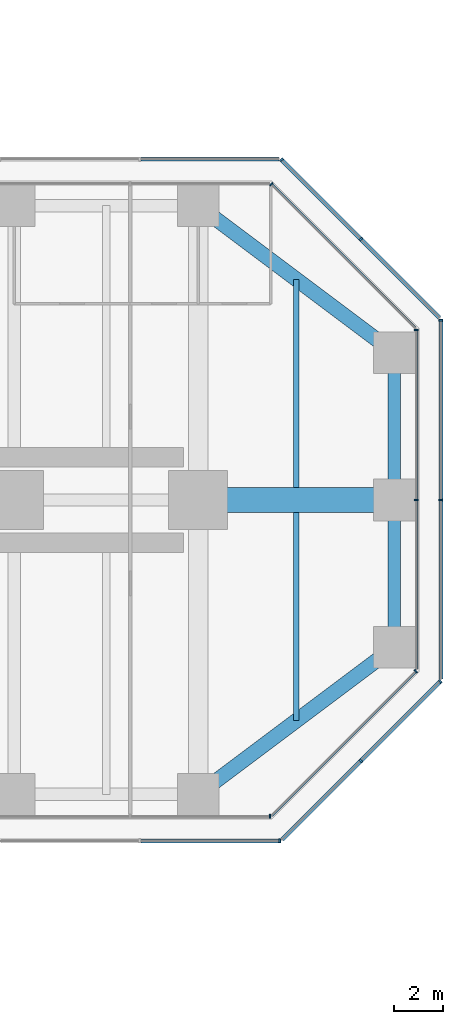
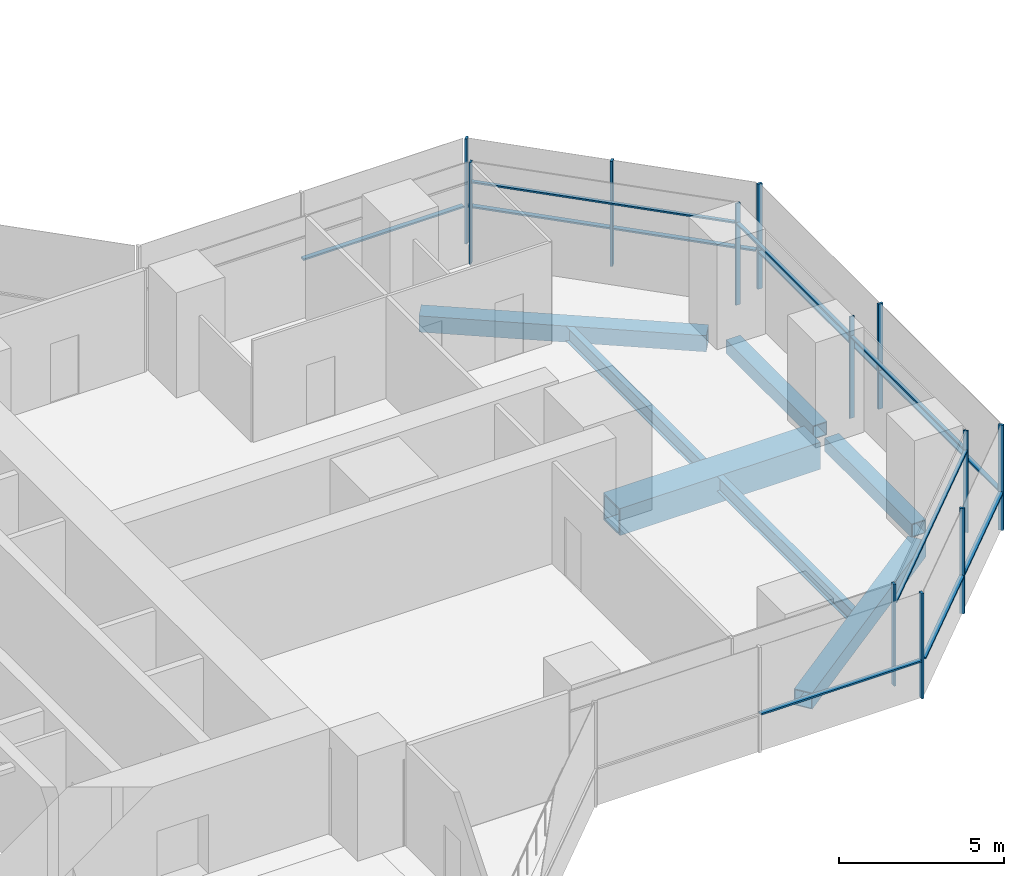
# One storey, part 12 of 22: 24 members, 7 beams, 9 elements without a shape of their own.
"""IFC4 building model written with IfcOpenShell, lengths in metres."""

from ifc_helpers import new_model, si_unit, direction, frame, origin, origin_2d, place, context, subcontext, project, spatial, rectangle, hollow_rectangle, i_section, extrude, material, material_profile, profile_set, type_object, element, aggregate, save


model = new_model("IFC4")

# Units and contexts
model_context = context("Model", 3, precision=1e-05, world=origin(), true_north=direction((0.0, 1.0)))
body_context = subcontext(model_context, "Body", "Model", "MODEL_VIEW")
ifc_project = project(units=[si_unit("LENGTHUNIT", "METRE"), si_unit("AREAUNIT", "SQUARE_METRE"), si_unit("VOLUMEUNIT", "CUBIC_METRE"), si_unit("PLANEANGLEUNIT", "RADIAN"), si_unit("MASSUNIT", "GRAM", prefix="KILO")], contexts=[model_context])

# Site, building, storey
site_placement = place(None, origin())
site = spatial("IfcSite", under=ifc_project, at=site_placement, CompositionType="ELEMENT")
building_placement = place(site_placement, origin())
building = spatial("IfcBuilding", under=site, at=building_placement, Name="Mizan Broadcast Tower", CompositionType="ELEMENT")
storey_placement = place(building_placement, frame((0.0, 0.0, 90.300048828125)))
storey = spatial("IfcBuildingStorey", under=building, at=storey_placement, Name="L19", CompositionType="ELEMENT", Elevation=90.300048828125)

# Beams
ifc_material_1 = material(Name="Steel S355", Category="steel")
ifc_material_profile_1 = material_profile(ifc_material_1, hollow_rectangle(XDim=0.5, YDim=0.5, WallThickness=0.030029296875, at=origin_2d()), Name="BOX 500x500x30")
ifc_profile_set_1 = profile_set([ifc_material_profile_1], Name="Steel S355")
beam_type_1 = type_object("IfcBeamType", Name="EDGE BEAM BOX 500x500x30", PredefinedType="SPANDREL", material=ifc_profile_set_1)
for number, where, z_axis, x_axis, name in (
    (1, (35.0, -5.639892578125, -0.380126953125), (0.0, 1.0, 0.0), (-1.0, 0.0, 0.0), "Edge beam BOX 500x500x30 L19 east arm"),
    (2, (35.0, 5.639892578125, -0.380126953125), (0.0, -1.0, 0.0), (1.0, 0.0, 0.0), "Edge beam BOX 500x500x30 L19 east arm"),
):
    element("IfcBeam", number, at=place(storey_placement, frame(where, z_axis=z_axis, x_axis=x_axis)), inside=storey, type_object=beam_type_1, Name=name, PredefinedType="SPANDREL", context=body_context, shape_type="SweptSolid", body=[
        extrude(hollow_rectangle(XDim=0.5, YDim=0.5, WallThickness=0.030029296875, at=origin_2d()), origin(), (0.0, 0.0, 1.0), 5.27978515625),
    ])
ifc_material_2 = material(Name="Steel S355", Category="steel")
ifc_material_profile_2 = material_profile(ifc_material_2, hollow_rectangle(XDim=0.60009765625, YDim=0.60009765625, WallThickness=0.030029296875, at=origin_2d()), Name="BOX 600x600x30")
ifc_profile_set_2 = profile_set([ifc_material_profile_2], Name="Steel S355")
beam_type_2 = type_object("IfcBeamType", Name="EDGE BEAM BOX 600x600x30", PredefinedType="SPANDREL", material=ifc_profile_set_2)
for number, where, z_axis, x_axis, name in (
    (3, (27.47998046875, -11.639892578125, -0.429931640625), (0.800013316712, 0.599982243973, 0.0), (-0.599982243973, 0.800013316712, 0.0), "Edge beam BOX 600x600x30 L19 east arm"),
    (4, (27.47998046875, 11.639892578125, -0.429931640625), (0.800013316712, -0.599982243973, 0.0), (0.599982243973, 0.800013316712, 0.0), "Edge beam BOX 600x600x30 L19 east arm"),
):
    element("IfcBeam", number, at=place(storey_placement, frame(where, z_axis=z_axis, x_axis=x_axis)), inside=storey, type_object=beam_type_2, Name=name, PredefinedType="SPANDREL", context=body_context, shape_type="SweptSolid", body=[
        extrude(hollow_rectangle(XDim=0.60009765625, YDim=0.60009765625, WallThickness=0.030029296875, at=origin_2d()), origin(), (0.0, 0.0, 1.0), 8.7998046875),
    ])
ifc_material_3 = material(Name="Steel S460", Category="steel")
ifc_material_profile_3 = material_profile(ifc_material_3, hollow_rectangle(XDim=1.0, YDim=1.0, WallThickness=0.06005859375, at=origin_2d()), Name="BOX 1000x1000x60")
ifc_profile_set_3 = profile_set([ifc_material_profile_3], Name="Steel S460")
beam_type_3 = type_object("IfcBeamType", Name="GIRDER BOX 1000x1000x60", PredefinedType="BEAM", material=ifc_profile_set_3)
beam_placement = place(storey_placement, frame((27.47998046875, 0.0, -0.630126953125), z_axis=(1.0, 0.0, 0.0), x_axis=(0.0, 1.0, 0.0)))
element("IfcBeam", 5, at=beam_placement, inside=storey, type_object=beam_type_3, Name="Girder BOX 1000x1000x60 L19 east arm", PredefinedType="BEAM", context=body_context, shape_type="SweptSolid", body=[
    extrude(hollow_rectangle(XDim=1.0, YDim=1.0, WallThickness=0.06005859375, at=origin_2d()), origin(), (0.0, 0.0, 1.0), 7.0400390625),
])

# Curtain wall, member
ifc_material_4 = material(Name="Aluminium framed glazing", Category="aluminium")
curtain_wall_type_1 = type_object("IfcCurtainWallType", Name="INNER SKIN LOW ZONE", PredefinedType="USERDEFINED", material=ifc_material_4)
curtain_wall_1_placement = place(storey_placement, origin())
curtain_wall_1 = element("IfcCurtainWall", 6, at=curtain_wall_1_placement, inside=storey, type_object=curtain_wall_type_1, Name="Inner skin low zone L19 E side", ObjectType="INNER SKIN LOW ZONE", PredefinedType="USERDEFINED")
ifc_material_5 = material(Name="Aluminium, pale anodised", Category="aluminium")
ifc_material_profile_4 = material_profile(ifc_material_5, rectangle(XDim=0.159912109375, YDim=0.06005859375, at=origin_2d()), Name="MULLION 160x60")
ifc_profile_set_4 = profile_set([ifc_material_profile_4], Name="Aluminium, pale anodised")
member_type_1 = type_object("IfcMemberType", Name="INNER SKIN MULLION 60x160", PredefinedType="MULLION", material=ifc_profile_set_4)
member_1_placement = place(storey_placement, frame((29.928466796875, -12.89990234375, 0.0), z_axis=(0.0, 0.0, 1.0), x_axis=(0.0, 1.0, 0.0)))
member_1 = element("IfcMember", 7, at=member_1_placement, type_object=member_type_1, Name="Inner skin low zone L19 E side mullion 3", PredefinedType="MULLION", context=body_context, shape_type="SweptSolid", body=[
    extrude(rectangle(XDim=0.159912109375, YDim=0.06005859375, at=origin_2d()), origin(), (0.0, 0.0, 1.0), 3.77001953125),
])
aggregate(curtain_wall_1, [member_1])

curtain_wall_2_placement = place(storey_placement, origin())
curtain_wall_2 = element("IfcCurtainWall", 8, at=curtain_wall_2_placement, inside=storey, type_object=curtain_wall_type_1, Name="Inner skin low zone L19 E chamfer", ObjectType="INNER SKIN LOW ZONE", PredefinedType="USERDEFINED")
member_2_placement = place(storey_placement, frame((35.87890625, -6.979736328125, 0.0), z_axis=(0.0, 0.0, 1.0), x_axis=(-0.707106781187, 0.707106781187, 0.0)))
member_2 = element("IfcMember", 9, at=member_2_placement, type_object=member_type_1, Name="Inner skin low zone L19 E chamfer mullion 2", PredefinedType="MULLION", context=body_context, shape_type="SweptSolid", body=[
    extrude(rectangle(XDim=0.159912109375, YDim=0.06005859375, at=origin_2d()), origin(), (0.0, 0.0, 1.0), 3.77001953125),
])

# Curtain wall, members
curtain_wall_3_placement = place(storey_placement, origin())
curtain_wall_3 = element("IfcCurtainWall", 10, at=curtain_wall_3_placement, inside=storey, type_object=curtain_wall_type_1, Name="Inner skin low zone L19 E end", ObjectType="INNER SKIN LOW ZONE", PredefinedType="USERDEFINED")
member_3_placement = place(storey_placement, frame((35.89990234375, 0.0, 0.0), z_axis=(0.0, 0.0, 1.0), x_axis=(-1.0, 0.0, 0.0)))
member_3 = element("IfcMember", 11, at=member_3_placement, type_object=member_type_1, Name="Inner skin low zone L19 E end mullion 2", PredefinedType="MULLION", context=body_context, shape_type="SweptSolid", body=[
    extrude(rectangle(XDim=0.159912109375, YDim=0.06005859375, at=origin_2d()), origin(), (0.0, 0.0, 1.0), 3.77001953125),
])
member_4_placement = place(storey_placement, frame((35.89990234375, 6.928466796875, 0.0), z_axis=(0.0, 0.0, 1.0), x_axis=(-1.0, 0.0, 0.0)))
member_4 = element("IfcMember", 12, at=member_4_placement, type_object=member_type_1, Name="Inner skin low zone L19 E end mullion 3", PredefinedType="MULLION", context=body_context, shape_type="SweptSolid", body=[
    extrude(rectangle(XDim=0.159912109375, YDim=0.06005859375, at=origin_2d()), origin(), (0.0, 0.0, 1.0), 3.77001953125),
])

# Curtain wall, member
curtain_wall_4_placement = place(storey_placement, origin())
curtain_wall_4 = element("IfcCurtainWall", 13, at=curtain_wall_4_placement, inside=storey, type_object=curtain_wall_type_1, Name="Inner skin low zone L19 E chamfer", ObjectType="INNER SKIN LOW ZONE", PredefinedType="USERDEFINED")
member_5_placement = place(storey_placement, frame((29.979736328125, 12.87890625, 0.0), z_axis=(0.0, 0.0, 1.0), x_axis=(-0.707106781187, -0.707106781187, 0.0)))
member_5 = element("IfcMember", 14, at=member_5_placement, type_object=member_type_1, Name="Inner skin low zone L19 E chamfer mullion 2", PredefinedType="MULLION", context=body_context, shape_type="SweptSolid", body=[
    extrude(rectangle(XDim=0.159912109375, YDim=0.06005859375, at=origin_2d()), origin(), (0.0, 0.0, 1.0), 3.77001953125),
])

# Member
ifc_material_6 = material(Name="Aluminium, pale anodised", Category="aluminium")
ifc_material_profile_5 = material_profile(ifc_material_6, rectangle(XDim=0.1201171875, YDim=0.06005859375, at=origin_2d()), Name="TRANSOM 120x60")
ifc_profile_set_5 = profile_set([ifc_material_profile_5], Name="Aluminium, pale anodised")
member_type_2 = type_object("IfcMemberType", Name="INNER SKIN TRANSOM 60x120", PredefinedType="USERDEFINED", material=ifc_profile_set_5)
member_6_placement = place(storey_placement, frame((30.0009765625, -12.857666015625, 3.030029296875), z_axis=(0.707106781187, 0.707106781187, 0.0), x_axis=(-0.707106781187, 0.707106781187, 0.0)))
member_6 = element("IfcMember", 15, at=member_6_placement, type_object=member_type_2, Name="Inner skin low zone L19 E chamfer transom 1.1", ObjectType="TRANSOM", PredefinedType="USERDEFINED", context=body_context, shape_type="SweptSolid", body=[
    extrude(rectangle(XDim=0.1201171875, YDim=0.06005859375, at=origin_2d()), origin(), (0.0, 0.0, 1.0), 8.28271484375),
])

aggregate(curtain_wall_2, [member_2, member_6])

member_7_placement = place(storey_placement, frame((35.89990234375, -6.898681640625, 3.030029296875), z_axis=(0.0, 1.0, 0.0), x_axis=(-1.0, 0.0, 0.0)))
member_7 = element("IfcMember", 16, at=member_7_placement, type_object=member_type_2, Name="Inner skin low zone L19 E end transom 1.1", ObjectType="TRANSOM", PredefinedType="USERDEFINED", context=body_context, shape_type="SweptSolid", body=[
    extrude(rectangle(XDim=0.1201171875, YDim=0.06005859375, at=origin_2d()), origin(), (0.0, 0.0, 1.0), 6.86865234375),
])

member_8_placement = place(storey_placement, frame((35.89990234375, 0.030029296875, 3.030029296875), z_axis=(0.0, 1.0, 0.0), x_axis=(-1.0, 0.0, 0.0)))
member_8 = element("IfcMember", 17, at=member_8_placement, type_object=member_type_2, Name="Inner skin low zone L19 E end transom 2.1", ObjectType="TRANSOM", PredefinedType="USERDEFINED", context=body_context, shape_type="SweptSolid", body=[
    extrude(rectangle(XDim=0.1201171875, YDim=0.06005859375, at=origin_2d()), origin(), (0.0, 0.0, 1.0), 6.86865234375),
])

aggregate(curtain_wall_3, [member_3, member_4, member_7, member_8])

member_9_placement = place(storey_placement, frame((35.857666015625, 7.0009765625, 3.030029296875), z_axis=(-0.707106781187, 0.707106781187, 0.0), x_axis=(-0.707106781187, -0.707106781187, 0.0)))
member_9 = element("IfcMember", 18, at=member_9_placement, type_object=member_type_2, Name="Inner skin low zone L19 E chamfer transom 1.1", ObjectType="TRANSOM", PredefinedType="USERDEFINED", context=body_context, shape_type="SweptSolid", body=[
    extrude(rectangle(XDim=0.1201171875, YDim=0.06005859375, at=origin_2d()), origin(), (0.0, 0.0, 1.0), 8.28271484375),
])

aggregate(curtain_wall_4, [member_5, member_9])

# Curtain wall, members
ifc_material_7 = material(Name="Aluminium framed glazing", Category="aluminium")
curtain_wall_type_2 = type_object("IfcCurtainWallType", Name="OUTER SKIN", PredefinedType="USERDEFINED", material=ifc_material_7)
curtain_wall_5_placement = place(storey_placement, origin())
curtain_wall_5 = element("IfcCurtainWall", 19, at=curtain_wall_5_placement, inside=storey, type_object=curtain_wall_type_2, Name="Outer skin L19 E chamfer", ObjectType="OUTER SKIN", PredefinedType="USERDEFINED")
ifc_material_8 = material(Name="Aluminium, pale anodised", Category="aluminium")
ifc_material_profile_6 = material_profile(ifc_material_8, rectangle(XDim=0.159912109375, YDim=0.080078125, at=origin_2d()), Name="MULLION 160x80")
ifc_profile_set_6 = profile_set([ifc_material_profile_6], Name="Aluminium, pale anodised")
member_type_3 = type_object("IfcMemberType", Name="OUTER SKIN MULLION 80x160", PredefinedType="MULLION", material=ifc_profile_set_6)
member_10_placement = place(storey_placement, frame((33.636474609375, -10.636474609375, 0.0), z_axis=(0.0, 0.0, 1.0), x_axis=(-0.707106781187, 0.707106781187, 0.0)))
member_10 = element("IfcMember", 20, at=member_10_placement, type_object=member_type_3, Name="Outer skin L19 E chamfer mullion 2", PredefinedType="MULLION", context=body_context, shape_type="SweptSolid", body=[
    extrude(rectangle(XDim=0.159912109375, YDim=0.080078125, at=origin_2d()), origin(), (0.0, 0.0, 1.0), 3.89990234375),
])
member_11_placement = place(storey_placement, frame((36.871826171875, -7.401123046875, 0.0), z_axis=(0.0, 0.0, 1.0), x_axis=(-0.707106781187, 0.707106781187, 0.0)))
member_11 = element("IfcMember", 21, at=member_11_placement, type_object=member_type_3, Name="Outer skin L19 E chamfer mullion 3", PredefinedType="MULLION", context=body_context, shape_type="SweptSolid", body=[
    extrude(rectangle(XDim=0.159912109375, YDim=0.080078125, at=origin_2d()), origin(), (0.0, 0.0, 1.0), 3.89990234375),
])

curtain_wall_6_placement = place(storey_placement, origin())
curtain_wall_6 = element("IfcCurtainWall", 22, at=curtain_wall_6_placement, inside=storey, type_object=curtain_wall_type_2, Name="Outer skin L19 E end", ObjectType="OUTER SKIN", PredefinedType="USERDEFINED")
member_12_placement = place(storey_placement, frame((36.89990234375, 0.0, 0.0), z_axis=(0.0, 0.0, 1.0), x_axis=(-1.0, 0.0, 0.0)))
member_12 = element("IfcMember", 23, at=member_12_placement, type_object=member_type_3, Name="Outer skin L19 E end mullion 2", PredefinedType="MULLION", context=body_context, shape_type="SweptSolid", body=[
    extrude(rectangle(XDim=0.159912109375, YDim=0.080078125, at=origin_2d()), origin(), (0.0, 0.0, 1.0), 3.89990234375),
])
member_13_placement = place(storey_placement, frame((36.89990234375, 7.332763671875, 0.0), z_axis=(0.0, 0.0, 1.0), x_axis=(-1.0, 0.0, 0.0)))
member_13 = element("IfcMember", 24, at=member_13_placement, type_object=member_type_3, Name="Outer skin L19 E end mullion 3", PredefinedType="MULLION", context=body_context, shape_type="SweptSolid", body=[
    extrude(rectangle(XDim=0.159912109375, YDim=0.080078125, at=origin_2d()), origin(), (0.0, 0.0, 1.0), 3.89990234375),
])

curtain_wall_7_placement = place(storey_placement, origin())
curtain_wall_7 = element("IfcCurtainWall", 25, at=curtain_wall_7_placement, inside=storey, type_object=curtain_wall_type_2, Name="Outer skin L19 E chamfer", ObjectType="OUTER SKIN", PredefinedType="USERDEFINED")
member_14_placement = place(storey_placement, frame((33.636474609375, 10.636474609375, 0.0), z_axis=(0.0, 0.0, 1.0), x_axis=(-0.707106781187, -0.707106781187, 0.0)))
member_14 = element("IfcMember", 26, at=member_14_placement, type_object=member_type_3, Name="Outer skin L19 E chamfer mullion 2", PredefinedType="MULLION", context=body_context, shape_type="SweptSolid", body=[
    extrude(rectangle(XDim=0.159912109375, YDim=0.080078125, at=origin_2d()), origin(), (0.0, 0.0, 1.0), 3.89990234375),
])
member_15_placement = place(storey_placement, frame((30.401123046875, 13.871826171875, 0.0), z_axis=(0.0, 0.0, 1.0), x_axis=(-0.707106781187, -0.707106781187, 0.0)))
member_15 = element("IfcMember", 27, at=member_15_placement, type_object=member_type_3, Name="Outer skin L19 E chamfer mullion 3", PredefinedType="MULLION", context=body_context, shape_type="SweptSolid", body=[
    extrude(rectangle(XDim=0.159912109375, YDim=0.080078125, at=origin_2d()), origin(), (0.0, 0.0, 1.0), 3.89990234375),
])

# Curtain wall, member
curtain_wall_8_placement = place(storey_placement, origin())
curtain_wall_8 = element("IfcCurtainWall", 28, at=curtain_wall_8_placement, inside=storey, type_object=curtain_wall_type_2, Name="Outer skin L19 E side", ObjectType="OUTER SKIN", PredefinedType="USERDEFINED")
member_16_placement = place(storey_placement, frame((30.332763671875, -13.89990234375, 0.0), z_axis=(0.0, 0.0, 1.0), x_axis=(0.0, 1.0, 0.0)))
member_16 = element("IfcMember", 29, at=member_16_placement, type_object=member_type_3, Name="Outer skin L19 E side mullion 3", PredefinedType="MULLION", context=body_context, shape_type="SweptSolid", body=[
    extrude(rectangle(XDim=0.159912109375, YDim=0.080078125, at=origin_2d()), origin(), (0.0, 0.0, 1.0), 3.89990234375),
])

# Member
ifc_material_9 = material(Name="Aluminium, pale anodised", Category="aluminium")
ifc_material_profile_7 = material_profile(ifc_material_9, rectangle(XDim=0.159912109375, YDim=0.06005859375, at=origin_2d()), Name="TRANSOM 160x60")
ifc_profile_set_7 = profile_set([ifc_material_profile_7], Name="Aluminium, pale anodised")
member_type_4 = type_object("IfcMemberType", Name="OUTER SKIN TRANSOM 60x160", PredefinedType="USERDEFINED", material=ifc_profile_set_7)
member_17_placement = place(storey_placement, frame((30.429443359375, -13.843505859375, 1.39990234375), z_axis=(0.707106781187, 0.707106781187, 0.0), x_axis=(-0.707106781187, 0.707106781187, 0.0)))
member_17 = element("IfcMember", 30, at=member_17_placement, type_object=member_type_4, Name="Outer skin L19 E chamfer transom 1.1", ObjectType="TRANSOM", PredefinedType="USERDEFINED", context=body_context, shape_type="SweptSolid", body=[
    extrude(rectangle(XDim=0.159912109375, YDim=0.06005859375, at=origin_2d()), origin(), (0.0, 0.0, 1.0), 4.495361328125),
])

member_18_placement = place(storey_placement, frame((33.664794921875, -10.608154296875, 1.39990234375), z_axis=(0.707106781187, 0.707106781187, 0.0), x_axis=(-0.707106781187, 0.707106781187, 0.0)))
member_18 = element("IfcMember", 31, at=member_18_placement, type_object=member_type_4, Name="Outer skin L19 E chamfer transom 2.1", ObjectType="TRANSOM", PredefinedType="USERDEFINED", context=body_context, shape_type="SweptSolid", body=[
    extrude(rectangle(XDim=0.159912109375, YDim=0.06005859375, at=origin_2d()), origin(), (0.0, 0.0, 1.0), 4.495361328125),
])

aggregate(curtain_wall_5, [member_10, member_11, member_17, member_18])

member_19_placement = place(storey_placement, frame((36.89990234375, -7.292724609375, 1.39990234375), z_axis=(0.0, 1.0, 0.0), x_axis=(-1.0, 0.0, 0.0)))
member_19 = element("IfcMember", 32, at=member_19_placement, type_object=member_type_4, Name="Outer skin L19 E end transom 1.1", ObjectType="TRANSOM", PredefinedType="USERDEFINED", context=body_context, shape_type="SweptSolid", body=[
    extrude(rectangle(XDim=0.159912109375, YDim=0.06005859375, at=origin_2d()), origin(), (0.0, 0.0, 1.0), 7.252685546875),
])

member_20_placement = place(storey_placement, frame((36.89990234375, 0.0400390625, 1.39990234375), z_axis=(0.0, 1.0, 0.0), x_axis=(-1.0, 0.0, 0.0)))
member_20 = element("IfcMember", 33, at=member_20_placement, type_object=member_type_4, Name="Outer skin L19 E end transom 2.1", ObjectType="TRANSOM", PredefinedType="USERDEFINED", context=body_context, shape_type="SweptSolid", body=[
    extrude(rectangle(XDim=0.159912109375, YDim=0.06005859375, at=origin_2d()), origin(), (0.0, 0.0, 1.0), 7.252685546875),
])

aggregate(curtain_wall_6, [member_12, member_13, member_19, member_20])

member_21_placement = place(storey_placement, frame((36.843505859375, 7.429443359375, 1.39990234375), z_axis=(-0.707106781187, 0.707106781187, 0.0), x_axis=(-0.707106781187, -0.707106781187, 0.0)))
member_21 = element("IfcMember", 34, at=member_21_placement, type_object=member_type_4, Name="Outer skin L19 E chamfer transom 1.1", ObjectType="TRANSOM", PredefinedType="USERDEFINED", context=body_context, shape_type="SweptSolid", body=[
    extrude(rectangle(XDim=0.159912109375, YDim=0.06005859375, at=origin_2d()), origin(), (0.0, 0.0, 1.0), 4.495361328125),
])

member_22_placement = place(storey_placement, frame((33.608154296875, 10.664794921875, 1.39990234375), z_axis=(-0.707106781187, 0.707106781187, 0.0), x_axis=(-0.707106781187, -0.707106781187, 0.0)))
member_22 = element("IfcMember", 35, at=member_22_placement, type_object=member_type_4, Name="Outer skin L19 E chamfer transom 2.1", ObjectType="TRANSOM", PredefinedType="USERDEFINED", context=body_context, shape_type="SweptSolid", body=[
    extrude(rectangle(XDim=0.159912109375, YDim=0.06005859375, at=origin_2d()), origin(), (0.0, 0.0, 1.0), 4.495361328125),
])

aggregate(curtain_wall_7, [member_14, member_15, member_21, member_22])

# Curtain wall, member
curtain_wall_9_placement = place(storey_placement, origin())
curtain_wall_9 = element("IfcCurtainWall", 36, at=curtain_wall_9_placement, inside=storey, type_object=curtain_wall_type_2, Name="Outer skin L19 E side", ObjectType="OUTER SKIN", PredefinedType="USERDEFINED")
member_23_placement = place(storey_placement, frame((30.292724609375, 13.89990234375, 1.39990234375), z_axis=(-1.0, 0.0, 0.0), x_axis=(0.0, -1.0, 0.0)))
member_23 = element("IfcMember", 37, at=member_23_placement, type_object=member_type_4, Name="Outer skin L19 E side transom 1.1", ObjectType="TRANSOM", PredefinedType="USERDEFINED", context=body_context, shape_type="SweptSolid", body=[
    extrude(rectangle(XDim=0.159912109375, YDim=0.06005859375, at=origin_2d()), origin(), (0.0, 0.0, 1.0), 5.6298828125),
])
aggregate(curtain_wall_9, [member_23])

# Member
member_24_placement = place(storey_placement, frame((24.662841796875, -13.89990234375, 1.39990234375), z_axis=(1.0, 0.0, 0.0), x_axis=(0.0, 1.0, 0.0)))
member_24 = element("IfcMember", 38, at=member_24_placement, type_object=member_type_4, Name="Outer skin L19 E side transom 2.1", ObjectType="TRANSOM", PredefinedType="USERDEFINED", context=body_context, shape_type="SweptSolid", body=[
    extrude(rectangle(XDim=0.159912109375, YDim=0.06005859375, at=origin_2d()), origin(), (0.0, 0.0, 1.0), 5.6298828125),
])

aggregate(curtain_wall_8, [member_16, member_24])

# Beams
ifc_material_10 = material(Name="Steel S355", Category="steel")
ifc_material_profile_8 = material_profile(ifc_material_10, i_section(OverallWidth=0.2099609375, OverallDepth=0.550048828125, WebThickness=0.010986328125, FlangeThickness=0.01708984375, FilletRadius=0.02392578125, at=origin_2d()), Name="IPE 550")
ifc_profile_set_8 = profile_set([ifc_material_profile_8], Name="Steel S355")
beam_type_4 = type_object("IfcBeamType", Name="SECONDARY BEAM IPE 550", PredefinedType="JOIST", material=ifc_profile_set_8)
for number, where, z_axis, x_axis, name in (
    (39, (31.0, -9.0, -0.405029296875), (0.0, 1.0, 0.0), (-1.0, 0.0, 0.0), "Secondary beam IPE 550 L19 east arm"),
    (40, (31.0, 9.0, -0.405029296875), (0.0, -1.0, 0.0), (1.0, 0.0, 0.0), "Secondary beam IPE 550 L19 east arm"),
):
    element("IfcBeam", number, at=place(storey_placement, frame(where, z_axis=z_axis, x_axis=x_axis)), inside=storey, type_object=beam_type_4, Name=name, PredefinedType="JOIST", context=body_context, shape_type="SweptSolid", body=[
        extrude(i_section(OverallWidth=0.2099609375, OverallDepth=0.550048828125, WebThickness=0.010986328125, FlangeThickness=0.01708984375, FilletRadius=0.02392578125, at=origin_2d()), origin(), (0.0, 0.0, 1.0), 8.5),
    ])

save(model, "model.ifc")
